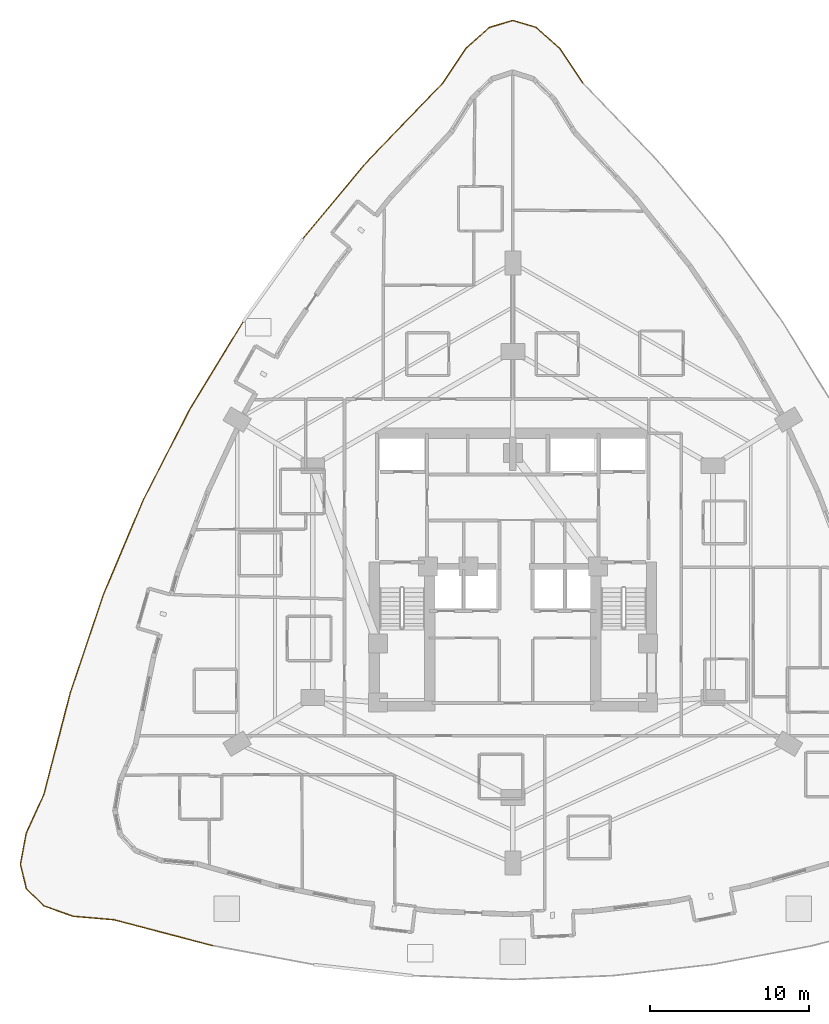
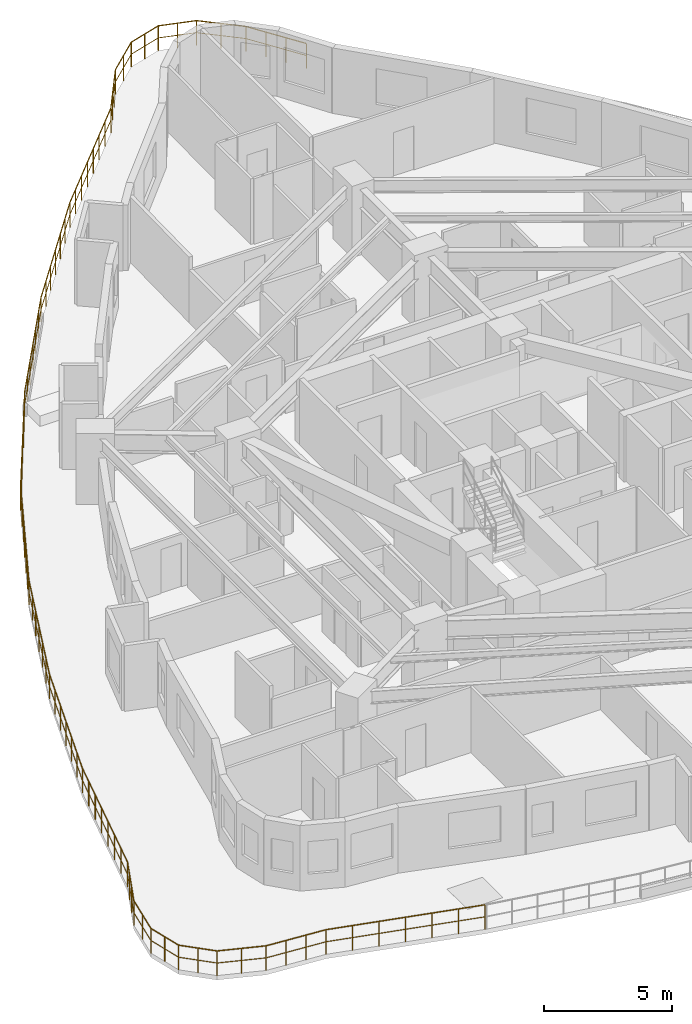
# One storey, part 15 of 17: 1 railing.
"""IFC4 building model written with IfcOpenShell, lengths in metres."""

import ifcopenshell
import ifcopenshell.guid

model = None  # the IFC model being written
_history = None  # IfcOwnerHistory: only IFC2X3 demands one
_inside = {}  # id of a spatial element -> (the spatial element, [elements in it])
_under = {}  # id of a project, library or spatial element -> (it, [spatial elements below it])
_declared = {}  # id of a project -> (the project, [libraries it declares])
_typed = {}  # id of a type object -> (the type object, [elements of that type])
_made_of = {}  # id of a material, layer set ... -> (it, [elements and type objects made of it])


def new_model(schema):
    """Start an empty IFC model of exactly this schema.

    Asked for "IFC4X3", IfcOpenShell would pick the latest addendum, in which some entities
    have other attributes; the version numbers below select the first issue.
    IFC2X3 requires an IfcOwnerHistory on every rooted entity: one is made here for all.
    """
    global model, _history
    if schema == "IFC4X3":
        model = ifcopenshell.file(schema_version=(4, 3, 0, 0))
    else:
        model = ifcopenshell.file(schema=schema)
    _inside.clear()
    _under.clear()
    _declared.clear()
    _typed.clear()
    _made_of.clear()
    _history = None
    if model.schema == "IFC2X3":
        org = make("IfcOrganization", Name="unknown")
        user = make(
            "IfcPersonAndOrganization",
            ThePerson=make("IfcPerson", FamilyName="unknown"),
            TheOrganization=org,
        )
        app = make(
            "IfcApplication",
            ApplicationDeveloper=org,
            Version="unknown",
            ApplicationFullName="unknown",
            ApplicationIdentifier="unknown",
        )
        _history = make(
            "IfcOwnerHistory",
            OwningUser=user,
            OwningApplication=app,
            ChangeAction="ADDED",
            CreationDate=0,
        )
    return model


def make(cls, **values):
    """One entity of the class cls with the attributes given. An attribute that is None is left unset."""
    return model.create_entity(
        cls, **{name: value for name, value in values.items() if value is not None}
    )


def rooted(cls, **values):
    """An entity with a GlobalId (a new one), such as an element, a storey or a relation."""
    return make(cls, GlobalId=ifcopenshell.guid.new(), OwnerHistory=_history, **values)


def si_unit(unit_type, name, prefix=None):
    """IfcSIUnit, for example si_unit("LENGTHUNIT", "METRE", prefix="MILLI")."""
    return make("IfcSIUnit", UnitType=unit_type, Prefix=prefix, Name=name)


def assignment(units):
    """IfcUnitAssignment: the units of a project."""
    return None if units is None else make("IfcUnitAssignment", Units=units)


def point(xyz):
    """IfcCartesianPoint."""
    return None if xyz is None else make("IfcCartesianPoint", Coordinates=xyz)


def direction(xyz):
    """IfcDirection."""
    return None if xyz is None else make("IfcDirection", DirectionRatios=xyz)


def frame(location, z_axis=None, x_axis=None):
    """IfcAxis2Placement3D, a coordinate frame: its origin and axes. An axis left out is left unset."""
    return make(
        "IfcAxis2Placement3D",
        Location=point(location),
        Axis=direction(z_axis),
        RefDirection=direction(x_axis),
    )


def frame_2d(location, x_axis=None):
    """IfcAxis2Placement2D, a coordinate frame in the plane: its origin and x axis."""
    return make(
        "IfcAxis2Placement2D", Location=point(location), RefDirection=direction(x_axis)
    )


def origin():
    """The frame at (0, 0, 0) with its axes left unset."""
    return frame((0.0, 0.0, 0.0))


def origin_2d():
    """The frame at (0, 0) in the plane with its x axis left unset."""
    return frame_2d((0.0, 0.0))


def place(relative_to, where):
    """IfcLocalPlacement: puts the frame where relative to a parent placement (None: the world)."""
    return make(
        "IfcLocalPlacement", PlacementRelTo=relative_to, RelativePlacement=where
    )


def context(
    kind, dimensions, precision=None, world=None, true_north=None, identifier=None
):
    """IfcGeometricRepresentationContext, for example the 3D "Model" context."""
    return make(
        "IfcGeometricRepresentationContext",
        ContextIdentifier=identifier,
        ContextType=kind,
        CoordinateSpaceDimension=dimensions,
        Precision=precision,
        WorldCoordinateSystem=world,
        TrueNorth=true_north,
    )


def subcontext(parent, identifier, kind, view, scale=None):
    """IfcGeometricRepresentationSubContext, for example "Body" below "Model"."""
    return make(
        "IfcGeometricRepresentationSubContext",
        ContextIdentifier=identifier,
        ContextType=kind,
        ParentContext=parent,
        TargetScale=scale,
        TargetView=view,
    )


def project(units=None, contexts=None):
    """IfcProject with its units and contexts."""
    return rooted(
        "IfcProject",
        Name="project",
        RepresentationContexts=contexts,
        UnitsInContext=assignment(units),
    )


def spatial(cls, under=None, at=None, **own):
    """A site, building, storey or space (cls), placed at a placement, below another one or the project."""
    s = rooted(cls, ObjectPlacement=at, **own)
    if under is not None:
        _under.setdefault(under.id(), (under, []))[1].append(s)
    return s


def profile(cls, at=None, kind="AREA", **sizes):
    """A parametric profile (cls). Its sizes go by their IFC names, for example OverallWidth=200.0."""
    return make(cls, ProfileType=kind, Position=at, **sizes)


def circle(**sizes):
    """IfcCircleProfileDef."""
    return profile("IfcCircleProfileDef", **sizes)


def extrude(swept, where, along, depth):
    """IfcExtrudedAreaSolid: the profile swept, set in the frame where, extruded along a direction by depth."""
    return make(
        "IfcExtrudedAreaSolid",
        SweptArea=swept,
        Position=where,
        ExtrudedDirection=direction(along),
        Depth=depth,
    )


def shape(context_of_items, identifier, shape_type, items):
    """IfcShapeRepresentation: the items that make up one representation, for example the "Body"."""
    return make(
        "IfcShapeRepresentation",
        ContextOfItems=context_of_items,
        RepresentationIdentifier=identifier,
        RepresentationType=shape_type,
        Items=items,
    )


def material(Name=None, Category=None):
    """IfcMaterial."""
    return make("IfcMaterial", Name=Name, Category=Category)


def made_of(thing, what):
    """Note that an element or type object is made of a material, layer set ...; save() writes the relation."""
    if what is not None:
        _made_of.setdefault(what.id(), (what, []))[1].append(thing)
    return thing


def type_object(cls, material=None, **own):
    """A type object (cls), such as IfcWallType, which elements share."""
    return made_of(rooted(cls, **own), material)


def element(
    cls,
    number,
    at=None,
    inside=None,
    cuts=None,
    type_object=None,
    material=None,
    context=None,
    identifier="Body",
    shape_type=None,
    held_by="IfcProductDefinitionShape",
    body=None,
    shapes=None,
    **own,
):
    """One element of the class cls, such as IfcWall. Its Tag is "e" and its number.

    at: its placement. inside: the storey or other place that contains it. cuts: it is an
    opening in that element (IfcRelVoidsElement). A single representation is given by context,
    identifier, shape_type and body (its items); several are given by shapes. held_by: the class
    of the entity that holds the representations. save() writes the other relations.
    """
    e = rooted(cls, Tag="e%d" % number, ObjectPlacement=at, **own)
    if body is not None:
        shapes = [shape(context, identifier, shape_type, body)]
    if shapes is not None:
        e.Representation = make(held_by, Representations=shapes)
    if inside is not None:
        _inside.setdefault(inside.id(), (inside, []))[1].append(e)
    if cuts is not None:
        rooted(
            "IfcRelVoidsElement", RelatingBuildingElement=cuts, RelatedOpeningElement=e
        )
    if type_object is not None:
        _typed.setdefault(type_object.id(), (type_object, []))[1].append(e)
    return made_of(e, material)


def aggregate(whole, parts):
    """IfcRelAggregates: a whole, such as a stair, and the parts it consists of."""
    return rooted("IfcRelAggregates", RelatingObject=whole, RelatedObjects=parts)


def save(model, path):
    """Write the relations noted so far, then the file.

    IfcRelAggregates (storeys below a building ...), IfcRelContainedInSpatialStructure (elements
    in a storey), IfcRelDefinesByType, IfcRelAssociatesMaterial and IfcRelDeclares: one each for
    every whole, place, type object, material and project.
    """
    for whole, parts in _under.values():
        aggregate(whole, parts)
    for where, things in _inside.values():
        rooted(
            "IfcRelContainedInSpatialStructure",
            RelatedElements=things,
            RelatingStructure=where,
        )
    for kind, things in _typed.values():
        rooted("IfcRelDefinesByType", RelatedObjects=things, RelatingType=kind)
    for what, things in _made_of.values():
        rooted("IfcRelAssociatesMaterial", RelatedObjects=things, RelatingMaterial=what)
    for by, libraries in _declared.values():
        rooted("IfcRelDeclares", RelatingContext=by, RelatedDefinitions=libraries)
    model.write(path)


model = new_model("IFC4")

# Units and contexts
model_context = context("Model", 3, precision=1e-05, world=origin(), true_north=direction((0.0, 1.0)))
body_context = subcontext(model_context, "Body", "Model", "MODEL_VIEW")
ifc_project = project(units=[si_unit("LENGTHUNIT", "METRE"), si_unit("AREAUNIT", "SQUARE_METRE"), si_unit("VOLUMEUNIT", "CUBIC_METRE"), si_unit("PLANEANGLEUNIT", "RADIAN"), si_unit("MASSUNIT", "GRAM", prefix="KILO")], contexts=[model_context])

# Site, building, storey
site_placement = place(None, origin())
site = spatial("IfcSite", under=ifc_project, at=site_placement, CompositionType="ELEMENT")
building_placement = place(site_placement, origin())
building = spatial("IfcBuilding", under=site, at=building_placement, Name="Miruveldt Soraemaru", CompositionType="ELEMENT")
storey_placement = place(building_placement, frame((0.0, 0.0, 29.199951171875)))
storey = spatial("IfcBuildingStorey", under=building, at=storey_placement, Name="L07", CompositionType="ELEMENT", Elevation=29.199951171875)

# Railing
ifc_material = material(Name="Anodised aluminium EN AW-6063 T6", Category="aluminium")
railing_type = type_object("IfcRailingType", Name="RAIL-GUARD-1200", PredefinedType="GUARDRAIL", material=ifc_material)
railing_placement = place(storey_placement, frame((48.413330078125, 74.502685546875, 0.0)))
element("IfcRailing", 1, at=railing_placement, inside=storey, type_object=railing_type, Name="L07 Planted Terrace Perimeter Guardrail (A)", PredefinedType="GUARDRAIL", context=body_context, shape_type="SweptSolid", body=[
    extrude(circle(Radius=0.02392578125, at=origin_2d()), frame((0.0, 0.0, 1.17578125), z_axis=(-0.558158141885, 0.82973458928, 0.0), x_axis=(-0.82973458928, -0.558158141885, 0.0)), (0.0, 0.0, 1.0), 2.6357421875),
    extrude(circle(Radius=0.01611328125, at=origin_2d()), frame((0.0, 0.0, 0.60009765625), z_axis=(-0.558158141885, 0.82973458928, 0.0), x_axis=(-0.82973458928, -0.558158141885, 0.0)), (0.0, 0.0, 1.0), 2.6357421875),
    extrude(circle(Radius=0.02392578125, at=origin_2d()), frame((-1.47119140625, 2.18701171875, 1.17578125), z_axis=(-0.746212289146, 0.665708058782, 0.0), x_axis=(-0.665708058782, -0.746212289146, 0.0)), (0.0, 0.0, 1.0), 1.97119140625),
    extrude(circle(Radius=0.01611328125, at=origin_2d()), frame((-1.47119140625, 2.18701171875, 0.60009765625), z_axis=(-0.746212289146, 0.665708058782, 0.0), x_axis=(-0.665708058782, -0.746212289146, 0.0)), (0.0, 0.0, 1.0), 1.97119140625),
    extrude(circle(Radius=0.02392578125, at=origin_2d()), frame((-2.942138671875, 3.499267578125, 1.17578125), z_axis=(-0.95855866591, 0.284895215839, 0.0), x_axis=(-0.284895215839, -0.95855866591, 0.0)), (0.0, 0.0, 1.0), 1.534912109375),
    extrude(circle(Radius=0.01611328125, at=origin_2d()), frame((-2.942138671875, 3.499267578125, 0.60009765625), z_axis=(-0.95855866591, 0.284895215839, 0.0), x_axis=(-0.284895215839, -0.95855866591, 0.0)), (0.0, 0.0, 1.0), 1.534912109375),
    extrude(circle(Radius=0.02392578125, at=origin_2d()), frame((-4.413330078125, 3.9365234375, 1.17578125), z_axis=(-0.95855866591, -0.284895215839, 0.0), x_axis=(0.284895215839, -0.95855866591, 0.0)), (0.0, 0.0, 1.0), 1.534912109375),
    extrude(circle(Radius=0.01611328125, at=origin_2d()), frame((-4.413330078125, 3.9365234375, 0.60009765625), z_axis=(-0.95855866591, -0.284895215839, 0.0), x_axis=(0.284895215839, -0.95855866591, 0.0)), (0.0, 0.0, 1.0), 1.534912109375),
    extrude(circle(Radius=0.02392578125, at=origin_2d()), frame((-5.884521484375, 3.499267578125, 1.17578125), z_axis=(-0.746212289146, -0.665708058782, 0.0), x_axis=(0.665708058782, -0.746212289146, 0.0)), (0.0, 0.0, 1.0), 1.97119140625),
    extrude(circle(Radius=0.01611328125, at=origin_2d()), frame((-5.884521484375, 3.499267578125, 0.60009765625), z_axis=(-0.746212289146, -0.665708058782, 0.0), x_axis=(0.665708058782, -0.746212289146, 0.0)), (0.0, 0.0, 1.0), 1.97119140625),
    extrude(circle(Radius=0.02392578125, at=origin_2d()), frame((-7.35546875, 2.18701171875, 1.17578125), z_axis=(-0.558158141885, -0.82973458928, 0.0), x_axis=(0.82973458928, -0.558158141885, 0.0)), (0.0, 0.0, 1.0), 2.6357421875),
    extrude(circle(Radius=0.01611328125, at=origin_2d()), frame((-7.35546875, 2.18701171875, 0.60009765625), z_axis=(-0.558158141885, -0.82973458928, 0.0), x_axis=(0.82973458928, -0.558158141885, 0.0)), (0.0, 0.0, 1.0), 2.6357421875),
    extrude(circle(Radius=0.02392578125, at=origin_2d()), frame((-8.82666015625, 0.0, 1.17578125), z_axis=(-0.694400908796, -0.719588339166, 0.0), x_axis=(0.719588339166, -0.694400908796, 0.0)), (0.0, 0.0, 1.0), 6.6396484375),
    extrude(circle(Radius=0.01611328125, at=origin_2d()), frame((-8.82666015625, 0.0, 0.60009765625), z_axis=(-0.694400908796, -0.719588339166, 0.0), x_axis=(0.719588339166, -0.694400908796, 0.0)), (0.0, 0.0, 1.0), 6.6396484375),
    extrude(circle(Radius=0.02392578125, at=origin_2d()), frame((-13.437255859375, -4.77783203125, 1.17578125), z_axis=(-0.641341323083, -0.767255698777, 0.0), x_axis=(0.767255698777, -0.641341323083, 0.0)), (0.0, 0.0, 1.0), 6.5341796875),
    extrude(circle(Radius=0.01611328125, at=origin_2d()), frame((-13.437255859375, -4.77783203125, 0.60009765625), z_axis=(-0.641341323083, -0.767255698777, 0.0), x_axis=(0.767255698777, -0.641341323083, 0.0)), (0.0, 0.0, 1.0), 6.5341796875),
    extrude(circle(Radius=0.02392578125, at=origin_2d()), frame((-17.6279296875, -9.791259765625, 1.17578125), z_axis=(-0.583408738334, -0.812178702032, 0.0), x_axis=(0.812178702032, -0.583408738334, 0.0)), (0.0, 0.0, 1.0), 6.462890625),
    extrude(circle(Radius=0.01611328125, at=origin_2d()), frame((-17.6279296875, -9.791259765625, 0.60009765625), z_axis=(-0.583408738334, -0.812178702032, 0.0), x_axis=(0.812178702032, -0.583408738334, 0.0)), (0.0, 0.0, 1.0), 6.462890625),
    extrude(circle(Radius=0.02392578125, at=origin_2d()), frame((-21.3984375, -15.040283203125, 1.17578125), z_axis=(-0.521311708579, -0.853366335461, 0.0), x_axis=(0.853366335461, -0.521311708579, 0.0)), (0.0, 0.0, 1.0), 6.4267578125),
    extrude(circle(Radius=0.01611328125, at=origin_2d()), frame((-21.3984375, -15.040283203125, 0.60009765625), z_axis=(-0.521311708579, -0.853366335461, 0.0), x_axis=(0.853366335461, -0.521311708579, 0.0)), (0.0, 0.0, 1.0), 6.4267578125),
    extrude(circle(Radius=0.02392578125, at=origin_2d()), frame((-24.748779296875, -20.524658203125, 1.17578125), z_axis=(-0.455914772145, -0.890023438197, 0.0), x_axis=(0.890023438197, -0.455914772145, 0.0)), (0.0, 0.0, 1.0), 6.426513671875),
    extrude(circle(Radius=0.01611328125, at=origin_2d()), frame((-24.748779296875, -20.524658203125, 0.60009765625), z_axis=(-0.455914772145, -0.890023438197, 0.0), x_axis=(0.890023438197, -0.455914772145, 0.0)), (0.0, 0.0, 1.0), 6.426513671875),
    extrude(circle(Radius=0.02392578125, at=origin_2d()), frame((-27.6787109375, -26.244384765625, 1.17578125), z_axis=(-0.388372782788, -0.92150235029, 0.0), x_axis=(0.92150235029, -0.388372782788, 0.0)), (0.0, 0.0, 1.0), 6.462890625),
    extrude(circle(Radius=0.01611328125, at=origin_2d()), frame((-27.6787109375, -26.244384765625, 0.60009765625), z_axis=(-0.388372782788, -0.92150235029, 0.0), x_axis=(0.92150235029, -0.388372782788, 0.0)), (0.0, 0.0, 1.0), 6.462890625),
    extrude(circle(Radius=0.02392578125, at=origin_2d()), frame((-30.188720703125, -32.199951171875, 1.17578125), z_axis=(-0.319834828308, -0.947473314981, 0.0), x_axis=(0.947473314981, -0.319834828308, 0.0)), (0.0, 0.0, 1.0), 6.5341796875),
    extrude(circle(Radius=0.01611328125, at=origin_2d()), frame((-30.188720703125, -32.199951171875, 0.60009765625), z_axis=(-0.319834828308, -0.947473314981, 0.0), x_axis=(0.947473314981, -0.319834828308, 0.0)), (0.0, 0.0, 1.0), 6.5341796875),
    extrude(circle(Radius=0.02392578125, at=origin_2d()), frame((-32.278564453125, -38.390869140625, 1.17578125), z_axis=(-0.251462333206, -0.967867085389, 0.0), x_axis=(0.967867085389, -0.251462333206, 0.0)), (0.0, 0.0, 1.0), 6.639892578125),
    extrude(circle(Radius=0.01611328125, at=origin_2d()), frame((-32.278564453125, -38.390869140625, 0.60009765625), z_axis=(-0.251462333206, -0.967867085389, 0.0), x_axis=(0.967867085389, -0.251462333206, 0.0)), (0.0, 0.0, 1.0), 6.639892578125),
    extrude(circle(Radius=0.02392578125, at=origin_2d()), frame((-33.9482421875, -44.8173828125, 1.17578125), z_axis=(-0.416851629554, -0.908974542514, 0.0), x_axis=(0.908974542514, -0.416851629554, 0.0)), (0.0, 0.0, 1.0), 2.646728515625),
    extrude(circle(Radius=0.01611328125, at=origin_2d()), frame((-33.9482421875, -44.8173828125, 0.60009765625), z_axis=(-0.416851629554, -0.908974542514, 0.0), x_axis=(0.908974542514, -0.416851629554, 0.0)), (0.0, 0.0, 1.0), 2.646728515625),
    extrude(circle(Radius=0.02392578125, at=origin_2d()), frame((-35.051513671875, -47.22314453125, 1.17578125), z_axis=(-0.183743746828, -0.982974178451, 0.0), x_axis=(0.982974178451, -0.183743746828, 0.0)), (0.0, 0.0, 1.0), 2.00244140625),
    extrude(circle(Radius=0.01611328125, at=origin_2d()), frame((-35.051513671875, -47.22314453125, 0.60009765625), z_axis=(-0.183743746828, -0.982974178451, 0.0), x_axis=(0.982974178451, -0.183743746828, 0.0)), (0.0, 0.0, 1.0), 2.00244140625),
    extrude(circle(Radius=0.02392578125, at=origin_2d()), frame((-35.41943359375, -49.19140625, 1.17578125), z_axis=(0.233660289034, -0.972318296305, 0.0), x_axis=(0.972318296305, 0.233660289034, 0.0)), (0.0, 0.0, 1.0), 1.57470703125),
    extrude(circle(Radius=0.01611328125, at=origin_2d()), frame((-35.41943359375, -49.19140625, 0.60009765625), z_axis=(0.233660289034, -0.972318296305, 0.0), x_axis=(0.972318296305, 0.233660289034, 0.0)), (0.0, 0.0, 1.0), 1.57470703125),
    extrude(circle(Radius=0.02392578125, at=origin_2d()), frame((-35.051513671875, -50.722412109375, 1.17578125), z_axis=(0.710243158693, -0.703956430136, 0.0), x_axis=(0.703956430136, 0.710243158693, 0.0)), (0.0, 0.0, 1.0), 1.553466796875),
    extrude(circle(Radius=0.01611328125, at=origin_2d()), frame((-35.051513671875, -50.722412109375, 0.60009765625), z_axis=(0.710243158693, -0.703956430136, 0.0), x_axis=(0.703956430136, 0.710243158693, 0.0)), (0.0, 0.0, 1.0), 1.553466796875),
    extrude(circle(Radius=0.02392578125, at=origin_2d()), frame((-33.9482421875, -51.81591796875, 1.17578125), z_axis=(0.941860676607, -0.336003669416, 0.0), x_axis=(0.336003669416, 0.941860676607, 0.0)), (0.0, 0.0, 1.0), 1.952392578125),
    extrude(circle(Radius=0.01611328125, at=origin_2d()), frame((-33.9482421875, -51.81591796875, 0.60009765625), z_axis=(0.941860676607, -0.336003669416, 0.0), x_axis=(0.336003669416, 0.941860676607, 0.0)), (0.0, 0.0, 1.0), 1.952392578125),
    extrude(circle(Radius=0.02392578125, at=origin_2d()), frame((-32.109375, -52.471923828125, 1.17578125), z_axis=(0.996409549244, -0.08466410205, 0.0), x_axis=(0.08466410205, 0.996409549244, 0.0)), (0.0, 0.0, 1.0), 2.583740234375),
    extrude(circle(Radius=0.01611328125, at=origin_2d()), frame((-32.109375, -52.471923828125, 0.60009765625), z_axis=(0.996409549244, -0.08466410205, 0.0), x_axis=(0.08466410205, 0.996409549244, 0.0)), (0.0, 0.0, 1.0), 2.583740234375),
    extrude(circle(Radius=0.02392578125, at=origin_2d()), frame((-29.534912109375, -52.690673828125, 1.17578125), z_axis=(0.967236436207, -0.253877286251, 0.0), x_axis=(0.253877286251, 0.967236436207, 0.0)), (0.0, 0.0, 1.0), 6.438232421875),
    extrude(circle(Radius=0.01611328125, at=origin_2d()), frame((-29.534912109375, -52.690673828125, 0.60009765625), z_axis=(0.967236436207, -0.253877286251, 0.0), x_axis=(0.253877286251, 0.967236436207, 0.0)), (0.0, 0.0, 1.0), 6.438232421875),
    extrude(circle(Radius=0.02099609375, at=origin_2d()), origin(), (0.0, 0.0, 1.0), 1.15185546875),
    extrude(circle(Radius=0.02099609375, at=origin_2d()), frame((-0.490478515625, 0.72900390625, 0.0)), (0.0, 0.0, 1.0), 1.15185546875),
    extrude(circle(Radius=0.02099609375, at=origin_2d()), frame((-0.980712890625, 1.4580078125, 0.0)), (0.0, 0.0, 1.0), 1.15185546875),
    extrude(circle(Radius=0.02099609375, at=origin_2d()), frame((-1.47119140625, 2.18701171875, 0.0)), (0.0, 0.0, 1.0), 1.15185546875),
    extrude(circle(Radius=0.02099609375, at=origin_2d()), frame((-2.20654296875, 2.84326171875, 0.0)), (0.0, 0.0, 1.0), 1.15185546875),
    extrude(circle(Radius=0.02099609375, at=origin_2d()), frame((-2.942138671875, 3.499267578125, 0.0)), (0.0, 0.0, 1.0), 1.15185546875),
    extrude(circle(Radius=0.02099609375, at=origin_2d()), frame((-3.677734375, 3.7177734375, 0.0)), (0.0, 0.0, 1.0), 1.15185546875),
    extrude(circle(Radius=0.02099609375, at=origin_2d()), frame((-4.413330078125, 3.9365234375, 0.0)), (0.0, 0.0, 1.0), 1.15185546875),
    extrude(circle(Radius=0.02099609375, at=origin_2d()), frame((-5.14892578125, 3.7177734375, 0.0)), (0.0, 0.0, 1.0), 1.15185546875),
    extrude(circle(Radius=0.02099609375, at=origin_2d()), frame((-5.884521484375, 3.499267578125, 0.0)), (0.0, 0.0, 1.0), 1.15185546875),
    extrude(circle(Radius=0.02099609375, at=origin_2d()), frame((-6.6201171875, 2.84326171875, 0.0)), (0.0, 0.0, 1.0), 1.15185546875),
    extrude(circle(Radius=0.02099609375, at=origin_2d()), frame((-7.35546875, 2.18701171875, 0.0)), (0.0, 0.0, 1.0), 1.15185546875),
    extrude(circle(Radius=0.02099609375, at=origin_2d()), frame((-7.845947265625, 1.4580078125, 0.0)), (0.0, 0.0, 1.0), 1.15185546875),
    extrude(circle(Radius=0.02099609375, at=origin_2d()), frame((-8.336181640625, 0.72900390625, 0.0)), (0.0, 0.0, 1.0), 1.15185546875),
    extrude(circle(Radius=0.02099609375, at=origin_2d()), frame((-8.82666015625, 0.0, 0.0)), (0.0, 0.0, 1.0), 1.15185546875),
    extrude(circle(Radius=0.02099609375, at=origin_2d()), frame((-9.4853515625, -0.6826171875, 0.0)), (0.0, 0.0, 1.0), 1.15185546875),
    extrude(circle(Radius=0.02099609375, at=origin_2d()), frame((-10.14404296875, -1.364990234375, 0.0)), (0.0, 0.0, 1.0), 1.15185546875),
    extrude(circle(Radius=0.02099609375, at=origin_2d()), frame((-10.802734375, -2.047607421875, 0.0)), (0.0, 0.0, 1.0), 1.15185546875),
    extrude(circle(Radius=0.02099609375, at=origin_2d()), frame((-11.461181640625, -2.730224609375, 0.0)), (0.0, 0.0, 1.0), 1.15185546875),
    extrude(circle(Radius=0.02099609375, at=origin_2d()), frame((-12.119873046875, -3.412841796875, 0.0)), (0.0, 0.0, 1.0), 1.15185546875),
    extrude(circle(Radius=0.02099609375, at=origin_2d()), frame((-12.778564453125, -4.09521484375, 0.0)), (0.0, 0.0, 1.0), 1.15185546875),
    extrude(circle(Radius=0.02099609375, at=origin_2d()), frame((-13.437255859375, -4.77783203125, 0.0)), (0.0, 0.0, 1.0), 1.15185546875),
    extrude(circle(Radius=0.02099609375, at=origin_2d()), frame((-14.1357421875, -5.61328125, 0.0)), (0.0, 0.0, 1.0), 1.15185546875),
    extrude(circle(Radius=0.02099609375, at=origin_2d()), frame((-14.834228515625, -6.448974609375, 0.0)), (0.0, 0.0, 1.0), 1.15185546875),
    extrude(circle(Radius=0.02099609375, at=origin_2d()), frame((-15.53271484375, -7.28466796875, 0.0)), (0.0, 0.0, 1.0), 1.15185546875),
    extrude(circle(Radius=0.02099609375, at=origin_2d()), frame((-16.23095703125, -8.1201171875, 0.0)), (0.0, 0.0, 1.0), 1.15185546875),
    extrude(circle(Radius=0.02099609375, at=origin_2d()), frame((-16.929443359375, -8.95556640625, 0.0)), (0.0, 0.0, 1.0), 1.15185546875),
    extrude(circle(Radius=0.02099609375, at=origin_2d()), frame((-17.6279296875, -9.791259765625, 0.0)), (0.0, 0.0, 1.0), 1.15185546875),
    extrude(circle(Radius=0.02099609375, at=origin_2d()), frame((-18.25634765625, -10.666015625, 0.0)), (0.0, 0.0, 1.0), 1.15185546875),
    extrude(circle(Radius=0.02099609375, at=origin_2d()), frame((-18.884765625, -11.541015625, 0.0)), (0.0, 0.0, 1.0), 1.15185546875),
    extrude(circle(Radius=0.02099609375, at=origin_2d()), frame((-19.51318359375, -12.415771484375, 0.0)), (0.0, 0.0, 1.0), 1.15185546875),
    extrude(circle(Radius=0.02099609375, at=origin_2d()), frame((-20.1416015625, -13.29052734375, 0.0)), (0.0, 0.0, 1.0), 1.15185546875),
    extrude(circle(Radius=0.02099609375, at=origin_2d()), frame((-20.77001953125, -14.16552734375, 0.0)), (0.0, 0.0, 1.0), 1.15185546875),
    extrude(circle(Radius=0.02099609375, at=origin_2d()), frame((-21.3984375, -15.040283203125, 0.0)), (0.0, 0.0, 1.0), 1.15185546875),
    extrude(circle(Radius=0.02099609375, at=origin_2d()), frame((-21.956787109375, -15.954345703125, 0.0)), (0.0, 0.0, 1.0), 1.15185546875),
    extrude(circle(Radius=0.02099609375, at=origin_2d()), frame((-22.51513671875, -16.868408203125, 0.0)), (0.0, 0.0, 1.0), 1.15185546875),
    extrude(circle(Radius=0.02099609375, at=origin_2d()), frame((-23.07373046875, -17.782470703125, 0.0)), (0.0, 0.0, 1.0), 1.15185546875),
    extrude(circle(Radius=0.02099609375, at=origin_2d()), frame((-23.632080078125, -18.696533203125, 0.0)), (0.0, 0.0, 1.0), 1.15185546875),
    extrude(circle(Radius=0.02099609375, at=origin_2d()), frame((-24.1904296875, -19.610595703125, 0.0)), (0.0, 0.0, 1.0), 1.15185546875),
    extrude(circle(Radius=0.02099609375, at=origin_2d()), frame((-24.748779296875, -20.524658203125, 0.0)), (0.0, 0.0, 1.0), 1.15185546875),
    extrude(circle(Radius=0.02099609375, at=origin_2d()), frame((-25.237060546875, -21.47802734375, 0.0)), (0.0, 0.0, 1.0), 1.15185546875),
    extrude(circle(Radius=0.02099609375, at=origin_2d()), frame((-25.725341796875, -22.43115234375, 0.0)), (0.0, 0.0, 1.0), 1.15185546875),
    extrude(circle(Radius=0.02099609375, at=origin_2d()), frame((-26.2138671875, -23.384521484375, 0.0)), (0.0, 0.0, 1.0), 1.15185546875),
    extrude(circle(Radius=0.02099609375, at=origin_2d()), frame((-26.7021484375, -24.337890625, 0.0)), (0.0, 0.0, 1.0), 1.15185546875),
    extrude(circle(Radius=0.02099609375, at=origin_2d()), frame((-27.1904296875, -25.291015625, 0.0)), (0.0, 0.0, 1.0), 1.15185546875),
    extrude(circle(Radius=0.02099609375, at=origin_2d()), frame((-27.6787109375, -26.244384765625, 0.0)), (0.0, 0.0, 1.0), 1.15185546875),
    extrude(circle(Radius=0.02099609375, at=origin_2d()), frame((-28.09716796875, -27.237060546875, 0.0)), (0.0, 0.0, 1.0), 1.15185546875),
    extrude(circle(Radius=0.02099609375, at=origin_2d()), frame((-28.515380859375, -28.2294921875, 0.0)), (0.0, 0.0, 1.0), 1.15185546875),
    extrude(circle(Radius=0.02099609375, at=origin_2d()), frame((-28.93359375, -29.22216796875, 0.0)), (0.0, 0.0, 1.0), 1.15185546875),
    extrude(circle(Radius=0.02099609375, at=origin_2d()), frame((-29.35205078125, -30.21484375, 0.0)), (0.0, 0.0, 1.0), 1.15185546875),
    extrude(circle(Radius=0.02099609375, at=origin_2d()), frame((-29.7705078125, -31.207275390625, 0.0)), (0.0, 0.0, 1.0), 1.15185546875),
    extrude(circle(Radius=0.02099609375, at=origin_2d()), frame((-30.188720703125, -32.199951171875, 0.0)), (0.0, 0.0, 1.0), 1.15185546875),
    extrude(circle(Radius=0.02099609375, at=origin_2d()), frame((-30.537109375, -33.231689453125, 0.0)), (0.0, 0.0, 1.0), 1.15185546875),
    extrude(circle(Radius=0.02099609375, at=origin_2d()), frame((-30.88525390625, -34.263671875, 0.0)), (0.0, 0.0, 1.0), 1.15185546875),
    extrude(circle(Radius=0.02099609375, at=origin_2d()), frame((-31.233642578125, -35.29541015625, 0.0)), (0.0, 0.0, 1.0), 1.15185546875),
    extrude(circle(Radius=0.02099609375, at=origin_2d()), frame((-31.58203125, -36.3271484375, 0.0)), (0.0, 0.0, 1.0), 1.15185546875),
    extrude(circle(Radius=0.02099609375, at=origin_2d()), frame((-31.93017578125, -37.359130859375, 0.0)), (0.0, 0.0, 1.0), 1.15185546875),
    extrude(circle(Radius=0.02099609375, at=origin_2d()), frame((-32.278564453125, -38.390869140625, 0.0)), (0.0, 0.0, 1.0), 1.15185546875),
    extrude(circle(Radius=0.02099609375, at=origin_2d()), frame((-32.51708984375, -39.308837890625, 0.0)), (0.0, 0.0, 1.0), 1.15185546875),
    extrude(circle(Radius=0.02099609375, at=origin_2d()), frame((-32.755615234375, -40.22705078125, 0.0)), (0.0, 0.0, 1.0), 1.15185546875),
    extrude(circle(Radius=0.02099609375, at=origin_2d()), frame((-32.994140625, -41.14501953125, 0.0)), (0.0, 0.0, 1.0), 1.15185546875),
    extrude(circle(Radius=0.02099609375, at=origin_2d()), frame((-33.232666015625, -42.063232421875, 0.0)), (0.0, 0.0, 1.0), 1.15185546875),
    extrude(circle(Radius=0.02099609375, at=origin_2d()), frame((-33.47119140625, -42.981201171875, 0.0)), (0.0, 0.0, 1.0), 1.15185546875),
    extrude(circle(Radius=0.02099609375, at=origin_2d()), frame((-33.709716796875, -43.8994140625, 0.0)), (0.0, 0.0, 1.0), 1.15185546875),
    extrude(circle(Radius=0.02099609375, at=origin_2d()), frame((-33.9482421875, -44.8173828125, 0.0)), (0.0, 0.0, 1.0), 1.15185546875),
    extrude(circle(Radius=0.02099609375, at=origin_2d()), frame((-34.31591796875, -45.619384765625, 0.0)), (0.0, 0.0, 1.0), 1.15185546875),
    extrude(circle(Radius=0.02099609375, at=origin_2d()), frame((-34.683837890625, -46.421142578125, 0.0)), (0.0, 0.0, 1.0), 1.15185546875),
    extrude(circle(Radius=0.02099609375, at=origin_2d()), frame((-35.051513671875, -47.22314453125, 0.0)), (0.0, 0.0, 1.0), 1.15185546875),
    extrude(circle(Radius=0.02099609375, at=origin_2d()), frame((-35.2353515625, -48.207275390625, 0.0)), (0.0, 0.0, 1.0), 1.15185546875),
    extrude(circle(Radius=0.02099609375, at=origin_2d()), frame((-35.41943359375, -49.19140625, 0.0)), (0.0, 0.0, 1.0), 1.15185546875),
    extrude(circle(Radius=0.02099609375, at=origin_2d()), frame((-35.2353515625, -49.95703125, 0.0)), (0.0, 0.0, 1.0), 1.15185546875),
    extrude(circle(Radius=0.02099609375, at=origin_2d()), frame((-35.051513671875, -50.722412109375, 0.0)), (0.0, 0.0, 1.0), 1.15185546875),
    extrude(circle(Radius=0.02099609375, at=origin_2d()), frame((-34.5, -51.26904296875, 0.0)), (0.0, 0.0, 1.0), 1.15185546875),
    extrude(circle(Radius=0.02099609375, at=origin_2d()), frame((-33.9482421875, -51.81591796875, 0.0)), (0.0, 0.0, 1.0), 1.15185546875),
    extrude(circle(Radius=0.02099609375, at=origin_2d()), frame((-33.02880859375, -52.14404296875, 0.0)), (0.0, 0.0, 1.0), 1.15185546875),
    extrude(circle(Radius=0.02099609375, at=origin_2d()), frame((-32.109375, -52.471923828125, 0.0)), (0.0, 0.0, 1.0), 1.15185546875),
    extrude(circle(Radius=0.02099609375, at=origin_2d()), frame((-31.251220703125, -52.544921875, 0.0)), (0.0, 0.0, 1.0), 1.15185546875),
    extrude(circle(Radius=0.02099609375, at=origin_2d()), frame((-30.39306640625, -52.61767578125, 0.0)), (0.0, 0.0, 1.0), 1.15185546875),
    extrude(circle(Radius=0.02099609375, at=origin_2d()), frame((-29.534912109375, -52.690673828125, 0.0)), (0.0, 0.0, 1.0), 1.15185546875),
    extrude(circle(Radius=0.02099609375, at=origin_2d()), frame((-28.4970703125, -52.963134765625, 0.0)), (0.0, 0.0, 1.0), 1.15185546875),
    extrude(circle(Radius=0.02099609375, at=origin_2d()), frame((-27.459228515625, -53.235595703125, 0.0)), (0.0, 0.0, 1.0), 1.15185546875),
    extrude(circle(Radius=0.02099609375, at=origin_2d()), frame((-26.42138671875, -53.5078125, 0.0)), (0.0, 0.0, 1.0), 1.15185546875),
    extrude(circle(Radius=0.02099609375, at=origin_2d()), frame((-25.38330078125, -53.7802734375, 0.0)), (0.0, 0.0, 1.0), 1.15185546875),
    extrude(circle(Radius=0.02099609375, at=origin_2d()), frame((-24.345458984375, -54.052734375, 0.0)), (0.0, 0.0, 1.0), 1.15185546875),
    extrude(circle(Radius=0.02099609375, at=origin_2d()), frame((-23.3076171875, -54.3251953125, 0.0)), (0.0, 0.0, 1.0), 1.15185546875),
])

save(model, "model.ifc")
